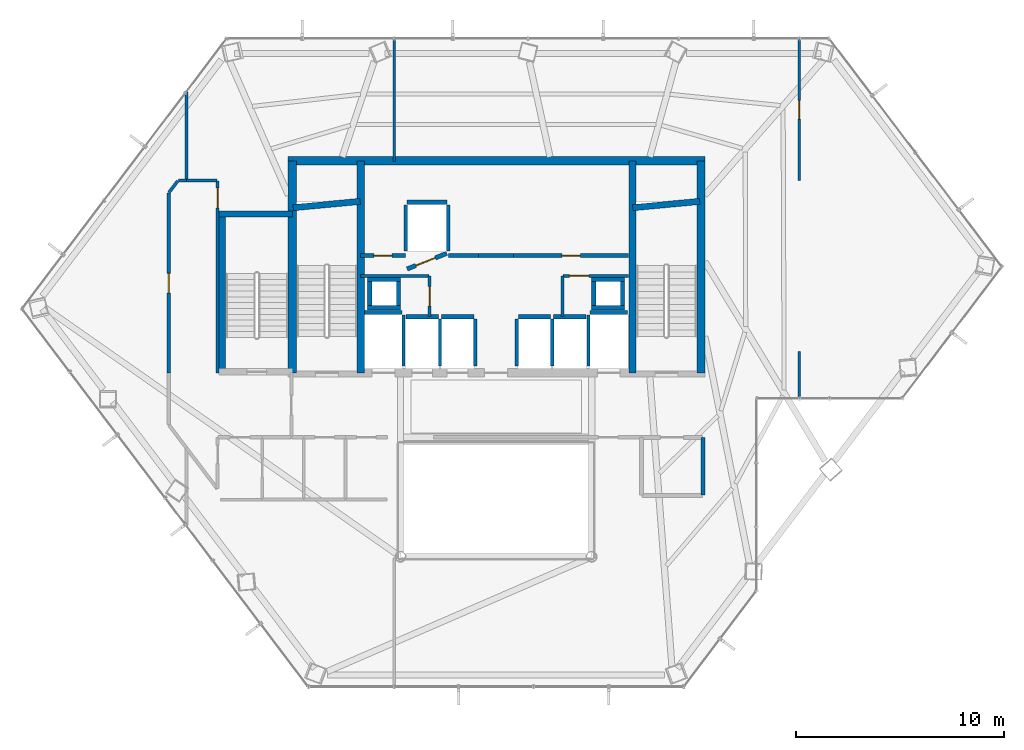
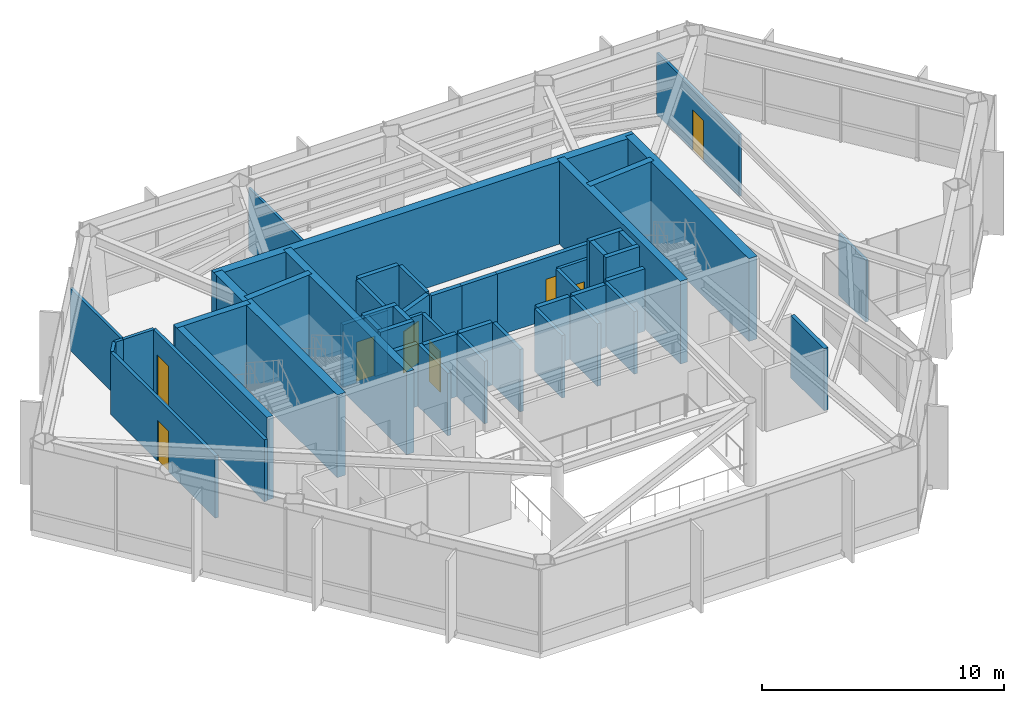
# One storey, part 23 of 25: 51 walls, 8 doors, 8 openings.
"""IFC4 building model written with IfcOpenShell, lengths in metres."""

from ifc_helpers import new_model, si_unit, direction, frame, frame_2d, origin, place, context, subcontext, project, spatial, rectangle, extrude, material, layer, layer_set, type_object, element, fill, save


model = new_model("IFC4")

# Units and contexts
model_context = context("Model", 3, precision=1e-05, world=origin(), true_north=direction((0.0, 1.0)))
body_context = subcontext(model_context, "Body", "Model", "MODEL_VIEW")
ifc_project = project(units=[si_unit("LENGTHUNIT", "METRE"), si_unit("AREAUNIT", "SQUARE_METRE"), si_unit("VOLUMEUNIT", "CUBIC_METRE"), si_unit("PLANEANGLEUNIT", "RADIAN"), si_unit("MASSUNIT", "GRAM", prefix="KILO")], contexts=[model_context])

# Site, building, storey
site_placement = place(None, origin())
site = spatial("IfcSite", under=ifc_project, at=site_placement, CompositionType="ELEMENT")
building_placement = place(site_placement, origin())
building = spatial("IfcBuilding", under=site, at=building_placement, Name="Zarrinselat Tower", CompositionType="ELEMENT")
storey_placement = place(building_placement, frame((0.0, 0.0, 119.0)))
storey = spatial("IfcBuildingStorey", under=building, at=storey_placement, Name="L28", CompositionType="ELEMENT", Elevation=119.0)

# Wall
ifc_material_1 = material(Name="Concrete C40/50", Category="concrete")
ifc_layer_1 = layer(ifc_material_1, 0.18994140625)
ifc_layer_set_1 = layer_set([ifc_layer_1], Name="Concrete C40/50")
wall_type_1 = type_object("IfcWallType", Name="WAL-PART-EI120", PredefinedType="PARTITIONING", material=ifc_layer_set_1)
wall_1_placement = place(storey_placement, frame((48.35009765625, 27.3701171875, 0.0), z_axis=(0.0, 0.0, 1.0), x_axis=(0.0, 1.0, 0.0)))
element("IfcWall", 1, at=wall_1_placement, inside=storey, type_object=wall_type_1, Name="L28 Partition Wall 17", PredefinedType="PARTITIONING", context=body_context, shape_type="SweptSolid", body=[
    extrude(rectangle(XDim=2.759765625, YDim=0.18994140625, at=frame_2d((1.3798828125, 0.0))), origin(), (0.0, 0.0, 1.0), 3.136962890625),
])

# Wall, opening, door
ifc_material_2 = material(Name="Fire-Rated Gypsum Board Partition", Category="gypsum")
ifc_layer_2 = layer(ifc_material_2, 0.14990234375)
ifc_layer_set_2 = layer_set([ifc_layer_2], Name="Fire-Rated Gypsum Board Partition")
wall_type_2 = type_object("IfcWallType", Name="WAL-PART-EI60", PredefinedType="PARTITIONING", material=ifc_layer_set_2)
wall_2_placement = place(storey_placement, frame((35.199951171875, 35.969970703125, 0.0), z_axis=(0.0, 0.0, 1.0), x_axis=(0.0, 1.0, 0.0)))
wall_2 = element("IfcWall", 2, at=wall_2_placement, inside=storey, type_object=wall_type_2, Name="L28 Partition Wall 1", PredefinedType="PARTITIONING", context=body_context, shape_type="SweptSolid", body=[
    extrude(rectangle(XDim=1.929931640625, YDim=0.14990234375, at=frame_2d((0.96484375, 0.0))), origin(), (0.0, 0.0, 1.0), 3.136962890625),
])
opening_1_placement = place(wall_2_placement, frame((0.4951171875, 0.0, 0.0)))
opening_1 = element("IfcOpeningElement", 3, at=opening_1_placement, cuts=wall_2, Name="Opening ID-04", PredefinedType="OPENING", context=body_context, shape_type="SweptSolid", body=[
    extrude(rectangle(XDim=0.93994140625, YDim=2.050048828125, at=frame_2d((0.469970703125, 1.02490234375))), frame((0.0, 0.0849609375, 0.0), z_axis=(0.0, -1.0, 0.0), x_axis=(1.0, 0.0, 0.0)), (0.0, 0.0, 1.0), 0.169921875),
])
ifc_material_3 = material(Name="Fire-Rated Gypsum Board Partition")
door_type_1 = type_object("IfcDoorType", Name="DR-INT-FD30-ENT", OperationType="NOTDEFINED", PredefinedType="DOOR", material=ifc_material_3)
door_1_placement = place(opening_1_placement, origin())
door_1 = element("IfcDoor", 4, at=door_1_placement, inside=storey, type_object=door_type_1, Name="L28 Interior Door P1", OperationType="SINGLE_SWING_LEFT", OverallHeight=2.050048828125, OverallWidth=0.93994140625, PredefinedType="DOOR", context=body_context, shape_type="SweptSolid", body=[
    extrude(rectangle(XDim=0.93994140625, YDim=2.050048828125, at=frame_2d((0.469970703125, 1.02490234375))), frame((0.0, 0.02490234375, 0.0), z_axis=(0.0, -1.0, 0.0), x_axis=(1.0, 0.0, 0.0)), (0.0, 0.0, 1.0), 0.050048828125),
])
fill(opening_1, door_1)

# Wall
wall_3_placement = place(storey_placement, frame((31.885009765625, 37.919921875, 0.0), z_axis=(0.0, 0.0, 1.0), x_axis=(1.0, 0.0, 0.0)))
element("IfcWall", 5, at=wall_3_placement, inside=storey, type_object=wall_type_2, Name="L28 Partition Wall 2", PredefinedType="PARTITIONING", context=body_context, shape_type="SweptSolid", body=[
    extrude(rectangle(XDim=3.294921875, YDim=0.14990234375, at=frame_2d((1.6474609375, 0.0))), origin(), (0.0, 0.0, 1.0), 3.136962890625),
])

# Wall, opening, door
wall_4_placement = place(storey_placement, frame((41.6201171875, 37.919921875, 0.0), z_axis=(0.0, 0.0, 1.0), x_axis=(1.0, 0.0, 0.0)))
wall_4 = element("IfcWall", 6, at=wall_4_placement, inside=storey, type_object=wall_type_2, Name="L28 Partition Wall 7", PredefinedType="PARTITIONING", context=body_context, shape_type="SweptSolid", body=[
    extrude(rectangle(XDim=3.164794921875, YDim=0.14990234375, at=frame_2d((1.58251953125, 0.0))), origin(), (0.0, 0.0, 1.0), 3.136962890625),
])
opening_2_placement = place(wall_4_placement, frame((0.3125, 0.0, 0.0)))
opening_2 = element("IfcOpeningElement", 7, at=opening_2_placement, cuts=wall_4, Name="Opening ID-04", PredefinedType="OPENING", context=body_context, shape_type="SweptSolid", body=[
    extrude(rectangle(XDim=0.93994140625, YDim=2.050048828125, at=frame_2d((0.469970703125, 1.02490234375))), frame((0.0, 0.0849609375, 0.0), z_axis=(0.0, -1.0, 0.0), x_axis=(1.0, 0.0, 0.0)), (0.0, 0.0, 1.0), 0.169921875),
])
door_2_placement = place(opening_2_placement, origin())
door_2 = element("IfcDoor", 8, at=door_2_placement, inside=storey, type_object=door_type_1, Name="L28 Interior Door P7", OperationType="SINGLE_SWING_RIGHT", OverallHeight=2.050048828125, OverallWidth=0.93994140625, PredefinedType="DOOR", context=body_context, shape_type="SweptSolid", body=[
    extrude(rectangle(XDim=0.93994140625, YDim=2.050048828125, at=frame_2d((0.469970703125, 1.02490234375))), frame((0.0, 0.02490234375, 0.0), z_axis=(0.0, -1.0, 0.0), x_axis=(1.0, 0.0, 0.0)), (0.0, 0.0, 1.0), 0.050048828125),
])
fill(opening_2, door_2)

# Wall
wall_5_placement = place(storey_placement, frame((41.60009765625, 35.969970703125, 0.0), z_axis=(0.0, 0.0, 1.0), x_axis=(0.0, 1.0, 0.0)))
element("IfcWall", 9, at=wall_5_placement, inside=storey, type_object=wall_type_2, Name="L28 Partition Wall 8", PredefinedType="PARTITIONING", context=body_context, shape_type="SweptSolid", body=[
    extrude(rectangle(XDim=1.929931640625, YDim=0.14990234375, at=frame_2d((0.96484375, 0.0))), origin(), (0.0, 0.0, 1.0), 3.136962890625),
])

# Wall, opening, door
wall_6_placement = place(storey_placement, frame((22.64990234375, 33.25, 0.0), z_axis=(0.0, 0.0, 1.0), x_axis=(0.0, 1.0, 0.0)))
wall_6 = element("IfcWall", 10, at=wall_6_placement, inside=storey, type_object=wall_type_2, Name="L28 Partition Wall 24", PredefinedType="PARTITIONING", context=body_context, shape_type="SweptSolid", body=[
    extrude(rectangle(XDim=8.643310546875, YDim=0.14990234375, at=frame_2d((4.32177734375, 0.0))), origin(), (0.0, 0.0, 1.0), 3.136962890625),
])
opening_3_placement = place(wall_6_placement, frame((3.8515625, 0.0, 0.0)))
opening_3 = element("IfcOpeningElement", 11, at=opening_3_placement, cuts=wall_6, Name="Opening ID-04", PredefinedType="OPENING", context=body_context, shape_type="SweptSolid", body=[
    extrude(rectangle(XDim=0.93994140625, YDim=2.050048828125, at=frame_2d((0.469970703125, 1.02490234375))), frame((0.0, 0.0849609375, 0.0), z_axis=(0.0, -1.0, 0.0), x_axis=(1.0, 0.0, 0.0)), (0.0, 0.0, 1.0), 0.169921875),
])
door_3_placement = place(opening_3_placement, origin())
door_3 = element("IfcDoor", 12, at=door_3_placement, inside=storey, type_object=door_type_1, Name="L28 Interior Door P24", OperationType="SINGLE_SWING_RIGHT", OverallHeight=2.050048828125, OverallWidth=0.93994140625, PredefinedType="DOOR", context=body_context, shape_type="SweptSolid", body=[
    extrude(rectangle(XDim=0.93994140625, YDim=2.050048828125, at=frame_2d((0.469970703125, 1.02490234375))), frame((0.0, 0.02490234375, 0.0), z_axis=(0.0, -1.0, 0.0), x_axis=(1.0, 0.0, 0.0)), (0.0, 0.0, 1.0), 0.050048828125),
])
fill(opening_3, door_3)

# Walls
wall_7_placement = place(storey_placement, frame((22.662109375, 41.92919921875, 0.0), z_axis=(0.0, 0.0, 1.0), x_axis=(0.603864439616, 0.797087033245, 0.0)))
element("IfcWall", 13, at=wall_7_placement, inside=storey, type_object=wall_type_2, Name="L28 Partition Wall 25", PredefinedType="PARTITIONING", context=body_context, shape_type="SweptSolid", body=[
    extrude(rectangle(XDim=0.6962890625, YDim=0.14990234375, at=frame_2d((0.34814453125, 0.0))), origin(), (0.0, 0.0, 1.0), 3.136962890625),
])
wall_8_placement = place(storey_placement, frame((23.114501953125, 42.5, 0.0), z_axis=(0.0, 0.0, 1.0), x_axis=(1.0, 0.0, 0.0)))
element("IfcWall", 14, at=wall_8_placement, inside=storey, type_object=wall_type_2, Name="L28 Partition Wall 26", PredefinedType="PARTITIONING", context=body_context, shape_type="SweptSolid", body=[
    extrude(rectangle(XDim=0.380615234375, YDim=0.14990234375, at=frame_2d((0.1904296875, 0.0))), origin(), (0.0, 0.0, 1.0), 3.136962890625),
])
wall_9_placement = place(storey_placement, frame((23.5048828125, 42.5, 0.0), z_axis=(0.0, 0.0, 1.0), x_axis=(1.0, 0.0, 0.0)))
element("IfcWall", 15, at=wall_9_placement, inside=storey, type_object=wall_type_2, Name="L28 Partition Wall 27", PredefinedType="PARTITIONING", context=body_context, shape_type="SweptSolid", body=[
    extrude(rectangle(XDim=1.47509765625, YDim=0.14990234375, at=frame_2d((0.737548828125, 0.0))), origin(), (0.0, 0.0, 1.0), 3.136962890625),
])

# Wall, opening, door
wall_10_placement = place(storey_placement, frame((25.0, 33.25, 0.0), z_axis=(0.0, 0.0, 1.0), x_axis=(0.0, 1.0, 0.0)))
wall_10 = element("IfcWall", 16, at=wall_10_placement, inside=storey, type_object=wall_type_2, Name="L28 Partition Wall 28", PredefinedType="PARTITIONING", context=body_context, shape_type="SweptSolid", body=[
    extrude(rectangle(XDim=9.22998046875, YDim=0.14990234375, at=frame_2d((4.614990234375, 0.0))), origin(), (0.0, 0.0, 1.0), 3.136962890625),
])
opening_4_placement = place(wall_10_placement, frame((7.945068359375, 0.0, 0.0)))
opening_4 = element("IfcOpeningElement", 17, at=opening_4_placement, cuts=wall_10, Name="Opening ID-04", PredefinedType="OPENING", context=body_context, shape_type="SweptSolid", body=[
    extrude(rectangle(XDim=0.93994140625, YDim=2.050048828125, at=frame_2d((0.469970703125, 1.02490234375))), frame((0.0, 0.0849609375, 0.0), z_axis=(0.0, -1.0, 0.0), x_axis=(1.0, 0.0, 0.0)), (0.0, 0.0, 1.0), 0.169921875),
])
door_4_placement = place(opening_4_placement, origin())
door_4 = element("IfcDoor", 18, at=door_4_placement, inside=storey, type_object=door_type_1, Name="L28 Interior Door P28", OperationType="SINGLE_SWING_LEFT", OverallHeight=2.050048828125, OverallWidth=0.93994140625, PredefinedType="DOOR", context=body_context, shape_type="SweptSolid", body=[
    extrude(rectangle(XDim=0.93994140625, YDim=2.050048828125, at=frame_2d((0.469970703125, 1.02490234375))), frame((0.0, 0.02490234375, 0.0), z_axis=(0.0, -1.0, 0.0), x_axis=(1.0, 0.0, 0.0)), (0.0, 0.0, 1.0), 0.050048828125),
])
fill(opening_4, door_4)

ifc_material_4 = material(Name="Concrete C40/50", Category="concrete")
ifc_layer_3 = layer(ifc_material_4, 0.199951171875)
ifc_layer_set_3 = layer_set([ifc_layer_3], Name="Concrete C40/50")
wall_type_3 = type_object("IfcWallType", Name="WAL-PART-PLANT", PredefinedType="PARTITIONING", material=ifc_layer_set_3)
wall_11_placement = place(storey_placement, frame((31.885009765625, 38.889892578125, 0.0), z_axis=(0.0, 0.0, 1.0), x_axis=(1.0, 0.0, 0.0)))
wall_11 = element("IfcWall", 19, at=wall_11_placement, inside=storey, type_object=wall_type_3, Name="L28 Partition Wall 3", PredefinedType="PARTITIONING", context=body_context, shape_type="SweptSolid", body=[
    extrude(rectangle(XDim=2.14990234375, YDim=0.199951171875, at=frame_2d((1.074951171875, 0.0))), origin(), (0.0, 0.0, 1.0), 3.136962890625),
])
opening_5_placement = place(wall_11_placement, frame((0.635009765625, 0.0, 0.0)))
opening_5 = element("IfcOpeningElement", 20, at=opening_5_placement, cuts=wall_11, Name="Opening ID-03", PredefinedType="OPENING", context=body_context, shape_type="SweptSolid", body=[
    extrude(rectangle(XDim=0.8798828125, YDim=2.050048828125, at=frame_2d((0.43994140625, 1.02490234375))), frame((0.0, 0.10986328125, 0.0), z_axis=(0.0, -1.0, 0.0), x_axis=(1.0, 0.0, 0.0)), (0.0, 0.0, 1.0), 0.219970703125),
])
ifc_material_5 = material(Name="Steel S355J2", Category="steel")
door_type_2 = type_object("IfcDoorType", Name="DR-INT-FD60-S", OperationType="NOTDEFINED", PredefinedType="DOOR", material=ifc_material_5)
door_5_placement = place(opening_5_placement, origin())
door_5 = element("IfcDoor", 21, at=door_5_placement, inside=storey, type_object=door_type_2, Name="L28 Interior Door P3", OperationType="SINGLE_SWING_RIGHT", OverallHeight=2.050048828125, OverallWidth=0.8798828125, PredefinedType="DOOR", context=body_context, shape_type="SweptSolid", body=[
    extrude(rectangle(XDim=0.8798828125, YDim=2.050048828125, at=frame_2d((0.43994140625, 1.02490234375))), frame((0.0, 0.02490234375, 0.0), z_axis=(0.0, -1.0, 0.0), x_axis=(1.0, 0.0, 0.0)), (0.0, 0.0, 1.0), 0.050048828125),
])
fill(opening_5, door_5)

# Walls
wall_12_placement = place(storey_placement, frame((36.114990234375, 38.889892578125, 0.0), z_axis=(0.0, 0.0, 1.0), x_axis=(1.0, 0.0, 0.0)))
element("IfcWall", 22, at=wall_12_placement, inside=storey, type_object=wall_type_3, Name="L28 Partition Wall 4", PredefinedType="PARTITIONING", context=body_context, shape_type="SweptSolid", body=[
    extrude(rectangle(XDim=1.43505859375, YDim=0.199951171875, at=frame_2d((0.717529296875, 0.0))), origin(), (0.0, 0.0, 1.0), 3.136962890625),
])
wall_13_placement = place(storey_placement, frame((37.550048828125, 38.889892578125, 0.0), z_axis=(0.0, 0.0, 1.0), x_axis=(1.0, 0.0, 0.0)))
element("IfcWall", 23, at=wall_13_placement, inside=storey, type_object=wall_type_3, Name="L28 Partition Wall 5", PredefinedType="PARTITIONING", context=body_context, shape_type="SweptSolid", body=[
    extrude(rectangle(XDim=1.699951171875, YDim=0.199951171875, at=frame_2d((0.85009765625, 0.0))), origin(), (0.0, 0.0, 1.0), 3.136962890625),
])

# Wall, opening, door
wall_14_placement = place(storey_placement, frame((39.25, 38.889892578125, 0.0), z_axis=(0.0, 0.0, 1.0), x_axis=(1.0, 0.0, 0.0)))
wall_14 = element("IfcWall", 24, at=wall_14_placement, inside=storey, type_object=wall_type_3, Name="L28 Partition Wall 6", PredefinedType="PARTITIONING", context=body_context, shape_type="SweptSolid", body=[
    extrude(rectangle(XDim=5.534912109375, YDim=0.199951171875, at=frame_2d((2.767578125, 0.0))), origin(), (0.0, 0.0, 1.0), 3.136962890625),
])
opening_6_placement = place(wall_14_placement, frame((2.327392578125, 0.0, 0.0)))
opening_6 = element("IfcOpeningElement", 25, at=opening_6_placement, cuts=wall_14, Name="Opening ID-03", PredefinedType="OPENING", context=body_context, shape_type="SweptSolid", body=[
    extrude(rectangle(XDim=0.8798828125, YDim=2.050048828125, at=frame_2d((0.43994140625, 1.02490234375))), frame((0.0, 0.10986328125, 0.0), z_axis=(0.0, -1.0, 0.0), x_axis=(1.0, 0.0, 0.0)), (0.0, 0.0, 1.0), 0.219970703125),
])
door_6_placement = place(opening_6_placement, origin())
door_6 = element("IfcDoor", 26, at=door_6_placement, inside=storey, type_object=door_type_2, Name="L28 Interior Door P6", OperationType="SINGLE_SWING_LEFT", OverallHeight=2.050048828125, OverallWidth=0.8798828125, PredefinedType="DOOR", context=body_context, shape_type="SweptSolid", body=[
    extrude(rectangle(XDim=0.8798828125, YDim=2.050048828125, at=frame_2d((0.43994140625, 1.02490234375))), frame((0.0, 0.02490234375, 0.0), z_axis=(0.0, -1.0, 0.0), x_axis=(1.0, 0.0, 0.0)), (0.0, 0.0, 1.0), 0.050048828125),
])
fill(opening_6, door_6)

ifc_material_6 = material(Name="Fire-Rated Gypsum Board Partition", Category="gypsum")
ifc_layer_4 = layer(ifc_material_6, 0.1201171875)
ifc_layer_set_4 = layer_set([ifc_layer_4], Name="Fire-Rated Gypsum Board Partition")
wall_type_4 = type_object("IfcWallType", Name="WAL-PART-STD", PredefinedType="PARTITIONING", material=ifc_layer_set_4)
wall_15_placement = place(storey_placement, frame((53.0, 42.5, 0.0), z_axis=(0.0, 0.0, 1.0), x_axis=(0.0, 1.0, 0.0)))
wall_15 = element("IfcWall", 27, at=wall_15_placement, inside=storey, type_object=wall_type_4, Name="L28 Partition Wall 37", PredefinedType="PARTITIONING", context=body_context, shape_type="SweptSolid", body=[
    extrude(rectangle(XDim=6.829345703125, YDim=0.1201171875, at=frame_2d((3.41455078125, 0.0))), origin(), (0.0, 0.0, 1.0), 3.136962890625),
])
opening_7_placement = place(wall_15_placement, frame((2.964599609375, 0.0, 0.0)))
opening_7 = element("IfcOpeningElement", 28, at=opening_7_placement, cuts=wall_15, Name="Opening ID-05", PredefinedType="OPENING", context=body_context, shape_type="SweptSolid", body=[
    extrude(rectangle(XDim=0.89990234375, YDim=2.050048828125, at=frame_2d((0.449951171875, 1.02490234375))), frame((0.0, 0.070068359375, 0.0), z_axis=(0.0, -1.0, 0.0), x_axis=(1.0, 0.0, 0.0)), (0.0, 0.0, 1.0), 0.14013671875),
])
ifc_material_7 = material(Name="Extruded Aluminium Alloy EN AW-6063 T6", Category="aluminium")
door_type_3 = type_object("IfcDoorType", Name="DR-INT-STD-920", OperationType="NOTDEFINED", PredefinedType="DOOR", material=ifc_material_7)
door_7_placement = place(opening_7_placement, origin())
door_7 = element("IfcDoor", 29, at=door_7_placement, inside=storey, type_object=door_type_3, Name="L28 Interior Door P37", OperationType="SINGLE_SWING_LEFT", OverallHeight=2.050048828125, OverallWidth=0.89990234375, PredefinedType="DOOR", context=body_context, shape_type="SweptSolid", body=[
    extrude(rectangle(XDim=0.89990234375, YDim=2.050048828125, at=frame_2d((0.449951171875, 1.02490234375))), frame((0.0, 0.02490234375, 0.0), z_axis=(0.0, -1.0, 0.0), x_axis=(1.0, 0.0, 0.0)), (0.0, 0.0, 1.0), 0.050048828125),
])
fill(opening_7, door_7)

# Walls
wall_16_placement = place(storey_placement, frame((53.0, 32.030029296875, 0.0), z_axis=(0.0, 0.0, 1.0), x_axis=(0.0, 1.0, 0.0)))
element("IfcWall", 30, at=wall_16_placement, inside=storey, type_object=wall_type_4, Name="L28 Partition Wall 38", PredefinedType="PARTITIONING", context=body_context, shape_type="SweptSolid", body=[
    extrude(rectangle(XDim=2.244873046875, YDim=0.1201171875, at=frame_2d((1.12255859375, 0.0))), origin(), (0.0, 0.0, 1.0), 3.136962890625),
])
wall_17_placement = place(storey_placement, frame((33.5, 43.4150390625, 0.0), z_axis=(0.0, 0.0, 1.0), x_axis=(0.0, 1.0, 0.0)))
element("IfcWall", 31, at=wall_17_placement, inside=storey, type_object=wall_type_4, Name="L28 Partition Wall 39", PredefinedType="PARTITIONING", context=body_context, shape_type="SweptSolid", body=[
    extrude(rectangle(XDim=5.914306640625, YDim=0.1201171875, at=frame_2d((2.95703125, 0.0))), origin(), (0.0, 0.0, 1.0), 3.136962890625),
])
ifc_material_8 = material(Name="Fire-Rated Gypsum Board Partition", Category="gypsum")
ifc_layer_5 = layer(ifc_material_8, 0.135009765625)
ifc_layer_set_5 = layer_set([ifc_layer_5], Name="Fire-Rated Gypsum Board Partition")
wall_type_5 = type_object("IfcWallType", Name="WAL-PART-WET", PredefinedType="PARTITIONING", material=ifc_layer_set_5)
wall_18_placement = place(storey_placement, frame((23.5, 42.52001953125, 0.0), z_axis=(0.0, 0.0, 1.0), x_axis=(0.0, 1.0, 0.0)))
element("IfcWall", 32, at=wall_18_placement, inside=storey, type_object=wall_type_5, Name="L28 Partition Wall 41", PredefinedType="PARTITIONING", context=body_context, shape_type="SweptSolid", body=[
    extrude(rectangle(XDim=4.24267578125, YDim=0.135009765625, at=frame_2d((2.121337890625, 0.0))), origin(), (0.0, 0.0, 1.0), 3.136962890625),
])
ifc_material_9 = material(Name="Concrete C40/50", Category="concrete")
ifc_layer_6 = layer(ifc_material_9, 0.2099609375)
ifc_layer_set_6 = layer_set([ifc_layer_6], Name="Concrete C40/50")
wall_type_6 = type_object("IfcWallType", Name="WAL-SHAFT-210", PredefinedType="SOLIDWALL", material=ifc_layer_set_6)
wall_19_placement = place(storey_placement, frame((32.080078125, 36.155029296875, 0.0), z_axis=(0.0, 0.0, 1.0), x_axis=(1.0, 0.0, 0.0)))
element("IfcWall", 33, at=wall_19_placement, inside=storey, type_object=wall_type_6, Name="L28 Lift FFL1 North Shaft Wall", PredefinedType="SOLIDWALL", context=body_context, shape_type="SweptSolid", body=[
    extrude(rectangle(XDim=1.7998046875, YDim=0.2099609375, at=frame_2d((0.89990234375, 0.0))), origin(), (0.0, 0.0, 1.0), 3.152099609375),
])
wall_20_placement = place(storey_placement, frame((33.949951171875, 33.580078125, 0.0), z_axis=(0.0, 0.0, 1.0), x_axis=(0.0, 1.0, 0.0)))
element("IfcWall", 34, at=wall_20_placement, inside=storey, type_object=wall_type_6, Name="L28 Lift FFL1 E Shaft Wall", PredefinedType="SOLIDWALL", context=body_context, shape_type="SweptSolid", body=[
    extrude(rectangle(XDim=2.449951171875, YDim=0.159912109375, at=frame_2d((1.22509765625, 0.0))), origin(), (0.0, 0.0, 1.0), 3.152099609375),
])
wall_21_placement = place(storey_placement, frame((42.919921875, 36.155029296875, 0.0), z_axis=(0.0, 0.0, 1.0), x_axis=(1.0, 0.0, 0.0)))
element("IfcWall", 35, at=wall_21_placement, inside=storey, type_object=wall_type_6, Name="L28 Lift FFL2 North Shaft Wall", PredefinedType="SOLIDWALL", context=body_context, shape_type="SweptSolid", body=[
    extrude(rectangle(XDim=1.800048828125, YDim=0.2099609375, at=frame_2d((0.89990234375, 0.0))), origin(), (0.0, 0.0, 1.0), 3.152099609375),
])
wall_22_placement = place(storey_placement, frame((42.85009765625, 33.580078125, 0.0), z_axis=(0.0, 0.0, 1.0), x_axis=(0.0, 1.0, 0.0)))
element("IfcWall", 36, at=wall_22_placement, inside=storey, type_object=wall_type_6, Name="L28 Lift FFL2 W Shaft Wall", PredefinedType="SOLIDWALL", context=body_context, shape_type="SweptSolid", body=[
    extrude(rectangle(XDim=2.449951171875, YDim=0.159912109375, at=frame_2d((1.22509765625, 0.0))), origin(), (0.0, 0.0, 1.0), 3.152099609375),
])
wall_23_placement = place(storey_placement, frame((34.070068359375, 35.955078125, 0.0), z_axis=(0.0, 0.0, 1.0), x_axis=(1.0, 0.0, 0.0)))
element("IfcWall", 37, at=wall_23_placement, inside=storey, type_object=wall_type_6, Name="L28 Lift PL5 North Shaft Wall", PredefinedType="SOLIDWALL", context=body_context, shape_type="SweptSolid", body=[
    extrude(rectangle(XDim=1.559814453125, YDim=0.2099609375, at=frame_2d((0.77978515625, 0.0))), origin(), (0.0, 0.0, 1.0), 3.152099609375),
])
wall_24_placement = place(storey_placement, frame((35.699951171875, 33.580078125, 0.0), z_axis=(0.0, 0.0, 1.0), x_axis=(0.0, 1.0, 0.0)))
element("IfcWall", 38, at=wall_24_placement, inside=storey, type_object=wall_type_6, Name="L28 Lift PL5 E Shaft Wall", PredefinedType="SOLIDWALL", context=body_context, shape_type="SweptSolid", body=[
    extrude(rectangle(XDim=2.25, YDim=0.159912109375, at=frame_2d((1.125, 0.0))), origin(), (0.0, 0.0, 1.0), 3.152099609375),
])
wall_25_placement = place(storey_placement, frame((35.77001953125, 35.955078125, 0.0), z_axis=(0.0, 0.0, 1.0), x_axis=(1.0, 0.0, 0.0)))
element("IfcWall", 39, at=wall_25_placement, inside=storey, type_object=wall_type_6, Name="L28 Lift PL6 North Shaft Wall", PredefinedType="SOLIDWALL", context=body_context, shape_type="SweptSolid", body=[
    extrude(rectangle(XDim=1.56005859375, YDim=0.2099609375, at=frame_2d((0.780029296875, 0.0))), origin(), (0.0, 0.0, 1.0), 3.152099609375),
])
wall_26_placement = place(storey_placement, frame((37.39990234375, 33.580078125, 0.0), z_axis=(0.0, 0.0, 1.0), x_axis=(0.0, 1.0, 0.0)))
element("IfcWall", 40, at=wall_26_placement, inside=storey, type_object=wall_type_6, Name="L28 Lift PL6 E Shaft Wall", PredefinedType="SOLIDWALL", context=body_context, shape_type="SweptSolid", body=[
    extrude(rectangle(XDim=2.25, YDim=0.159912109375, at=frame_2d((1.125, 0.0))), origin(), (0.0, 0.0, 1.0), 3.152099609375),
])

# Wall, opening, door
wall_27_placement = place(storey_placement, frame((34.1201171875, 38.25, 0.0), z_axis=(0.0, 0.0, 1.0), x_axis=(0.930804993012, 0.36551616241, 0.0)))
wall_27 = element("IfcWall", 41, at=wall_27_placement, inside=storey, type_object=wall_type_6, Name="L28 Lift PL7 Front Shaft Wall", PredefinedType="SOLIDWALL", context=body_context, shape_type="SweptSolid", body=[
    extrude(rectangle(XDim=2.052001953125, YDim=0.2099609375, at=frame_2d((1.02587890625, 0.0))), origin(), (0.0, 0.0, 1.0), 3.152099609375),
])
opening_8_placement = place(wall_27_placement, frame((0.455078125, 0.0, 0.0)))
opening_8 = element("IfcOpeningElement", 42, at=opening_8_placement, cuts=wall_27, Name="Opening LD-PL7", PredefinedType="OPENING", context=body_context, shape_type="SweptSolid", body=[
    extrude(rectangle(XDim=1.0, YDim=2.10009765625, at=frame_2d((0.5, 1.050048828125))), frame((0.0, 0.114990234375, 0.0), z_axis=(0.0, -1.0, 0.0), x_axis=(1.0, 0.0, 0.0)), (0.0, 0.0, 1.0), 0.22998046875),
])
ifc_material_10 = material(Name="Steel S355J2", Category="steel")
door_type_4 = type_object("IfcDoorType", Name="DR-LIFT-PS-1000", OperationType="NOTDEFINED", PredefinedType="DOOR", material=ifc_material_10)
door_8_placement = place(opening_8_placement, origin())
door_8 = element("IfcDoor", 43, at=door_8_placement, inside=storey, type_object=door_type_4, Name="L28 Lift PL7 Sliding Landing Door", OperationType="SLIDING_TO_LEFT", OverallHeight=2.10009765625, OverallWidth=1.0, PredefinedType="DOOR", context=body_context, shape_type="SweptSolid", body=[
    extrude(rectangle(XDim=1.0, YDim=2.10009765625, at=frame_2d((0.5, 1.050048828125))), frame((0.0, 0.02490234375, 0.0), z_axis=(0.0, -1.0, 0.0), x_axis=(1.0, 0.0, 0.0)), (0.0, 0.0, 1.0), 0.050048828125),
])
fill(opening_8, door_8)

# Walls
wall_28_placement = place(storey_placement, frame((34.1201171875, 41.455078125, 0.0), z_axis=(0.0, 0.0, 1.0), x_axis=(1.0, 0.0, 0.0)))
element("IfcWall", 44, at=wall_28_placement, inside=storey, type_object=wall_type_6, Name="L28 Lift PL7 Rear Shaft Wall", PredefinedType="SOLIDWALL", context=body_context, shape_type="SweptSolid", body=[
    extrude(rectangle(XDim=1.909912109375, YDim=0.2099609375, at=frame_2d((0.955078125, 0.0))), origin(), (0.0, 0.0, 1.0), 3.152099609375),
])
for number, where, z_axis, x_axis, name in (
    (45, (34.050048828125, 39.1201171875, 0.0), (0.0, 0.0, 1.0), (0.0, 1.0, 0.0), "L28 Lift PL7 W Shaft Wall"),
    (46, (36.10009765625, 39.1201171875, 0.0), (0.0, 0.0, 1.0), (0.0, 1.0, 0.0), "L28 Lift PL7 E Shaft Wall"),
):
    element("IfcWall", number, at=place(storey_placement, frame(where, z_axis=z_axis, x_axis=x_axis)), inside=storey, type_object=wall_type_6, Name=name, PredefinedType="SOLIDWALL", context=body_context, shape_type="SweptSolid", body=[
        extrude(rectangle(XDim=2.2099609375, YDim=0.159912109375, at=frame_2d((1.10498046875, 0.0))), origin(), (0.0, 0.0, 1.0), 3.152099609375),
    ])
wall_29_placement = place(storey_placement, frame((39.469970703125, 35.955078125, 0.0), z_axis=(0.0, 0.0, 1.0), x_axis=(1.0, 0.0, 0.0)))
element("IfcWall", 47, at=wall_29_placement, inside=storey, type_object=wall_type_6, Name="L28 Lift PL8 North Shaft Wall", PredefinedType="SOLIDWALL", context=body_context, shape_type="SweptSolid", body=[
    extrude(rectangle(XDim=1.56005859375, YDim=0.2099609375, at=frame_2d((0.780029296875, 0.0))), origin(), (0.0, 0.0, 1.0), 3.152099609375),
])
for number, where, z_axis, x_axis, name in (
    (48, (39.39990234375, 33.580078125, 0.0), (0.0, 0.0, 1.0), (0.0, 1.0, 0.0), "L28 Lift PL8 W Shaft Wall"),
    (49, (41.10009765625, 33.580078125, 0.0), (0.0, 0.0, 1.0), (0.0, 1.0, 0.0), "L28 Lift PL8 E Shaft Wall"),
):
    element("IfcWall", number, at=place(storey_placement, frame(where, z_axis=z_axis, x_axis=x_axis)), inside=storey, type_object=wall_type_6, Name=name, PredefinedType="SOLIDWALL", context=body_context, shape_type="SweptSolid", body=[
        extrude(rectangle(XDim=2.25, YDim=0.159912109375, at=frame_2d((1.125, 0.0))), origin(), (0.0, 0.0, 1.0), 3.152099609375),
    ])
wall_30_placement = place(storey_placement, frame((41.169921875, 35.955078125, 0.0), z_axis=(0.0, 0.0, 1.0), x_axis=(1.0, 0.0, 0.0)))
element("IfcWall", 50, at=wall_30_placement, inside=storey, type_object=wall_type_6, Name="L28 Lift PL9 North Shaft Wall", PredefinedType="SOLIDWALL", context=body_context, shape_type="SweptSolid", body=[
    extrude(rectangle(XDim=1.56005859375, YDim=0.2099609375, at=frame_2d((0.780029296875, 0.0))), origin(), (0.0, 0.0, 1.0), 3.152099609375),
])
for number, where, z_axis, x_axis, name in (
    (51, (32.2099609375, 36.375, 0.0), (0.0, 0.0, 1.0), (1.0, 0.0, 0.0), "L28 Core Riser RSR-W S Shaft Wall"),
    (52, (32.2099609375, 37.7451171875, 0.0), (0.0, 0.0, 1.0), (1.0, 0.0, 0.0), "L28 Core Riser RSR-W N Shaft Wall"),
):
    element("IfcWall", number, at=place(storey_placement, frame(where, z_axis=z_axis, x_axis=x_axis)), inside=storey, type_object=wall_type_6, Name=name, PredefinedType="SOLIDWALL", context=body_context, shape_type="SweptSolid", body=[
        extrude(rectangle(XDim=1.60009765625, YDim=0.2099609375, at=frame_2d((0.800048828125, 0.0))), origin(), (0.0, 0.0, 1.0), 4.179931640625),
    ])
for number, where, z_axis, x_axis, name in (
    (53, (32.31494140625, 36.485107421875, 0.0), (0.0, 0.0, 1.0), (0.0, 1.0, 0.0), "L28 Core Riser RSR-W W Shaft Wall"),
    (54, (33.705078125, 36.485107421875, 0.0), (0.0, 0.0, 1.0), (0.0, 1.0, 0.0), "L28 Core Riser RSR-W E Shaft Wall"),
):
    element("IfcWall", number, at=place(storey_placement, frame(where, z_axis=z_axis, x_axis=x_axis)), inside=storey, type_object=wall_type_6, Name=name, PredefinedType="SOLIDWALL", context=body_context, shape_type="SweptSolid", body=[
        extrude(rectangle(XDim=1.14990234375, YDim=0.2099609375, at=frame_2d((0.574951171875, 0.0))), origin(), (0.0, 0.0, 1.0), 4.179931640625),
    ])
for number, where, z_axis, x_axis, name in (
    (55, (42.989990234375, 36.375, 0.0), (0.0, 0.0, 1.0), (1.0, 0.0, 0.0), "L28 Core Riser RSR-E S Shaft Wall"),
    (56, (42.989990234375, 37.7451171875, 0.0), (0.0, 0.0, 1.0), (1.0, 0.0, 0.0), "L28 Core Riser RSR-E N Shaft Wall"),
):
    element("IfcWall", number, at=place(storey_placement, frame(where, z_axis=z_axis, x_axis=x_axis)), inside=storey, type_object=wall_type_6, Name=name, PredefinedType="SOLIDWALL", context=body_context, shape_type="SweptSolid", body=[
        extrude(rectangle(XDim=1.60009765625, YDim=0.2099609375, at=frame_2d((0.800048828125, 0.0))), origin(), (0.0, 0.0, 1.0), 4.179931640625),
    ])
for number, where, z_axis, x_axis, name in (
    (57, (43.094970703125, 36.485107421875, 0.0), (0.0, 0.0, 1.0), (0.0, 1.0, 0.0), "L28 Core Riser RSR-E W Shaft Wall"),
    (58, (44.485107421875, 36.485107421875, 0.0), (0.0, 0.0, 1.0), (0.0, 1.0, 0.0), "L28 Core Riser RSR-E E Shaft Wall"),
):
    element("IfcWall", number, at=place(storey_placement, frame(where, z_axis=z_axis, x_axis=x_axis)), inside=storey, type_object=wall_type_6, Name=name, PredefinedType="SOLIDWALL", context=body_context, shape_type="SweptSolid", body=[
        extrude(rectangle(XDim=1.14990234375, YDim=0.2099609375, at=frame_2d((0.574951171875, 0.0))), origin(), (0.0, 0.0, 1.0), 4.179931640625),
    ])
ifc_material_11 = material(Name="Concrete C40/50", Category="concrete")
ifc_layer_7 = layer(ifc_material_11, 0.300048828125)
ifc_layer_set_7 = layer_set([ifc_layer_7], Name="Concrete C40/50")
wall_type_7 = type_object("IfcWallType", Name="WAL-SHEAR-300", PredefinedType="SHEAR", material=ifc_layer_set_7)
wall_31_placement = place(storey_placement, frame((28.639892578125, 41.199951171875, 0.0), z_axis=(0.0, 0.0, 1.0), x_axis=(0.995687118776, 0.092774789157, 0.0)))
element("IfcWall", 59, at=wall_31_placement, inside=storey, type_object=wall_type_7, Name="L28 Stair 1 North Shaft Wall", PredefinedType="SHEAR", context=body_context, shape_type="SweptSolid", body=[
    extrude(rectangle(XDim=3.234130859375, YDim=0.300048828125, at=frame_2d((1.6171875, 0.0))), origin(), (0.0, 0.0, 1.0), 4.179931640625),
])
wall_32_placement = place(storey_placement, frame((44.97998046875, 41.199951171875, 0.0), z_axis=(0.0, 0.0, 1.0), x_axis=(0.995686468965, 0.09278176286, 0.0)))
element("IfcWall", 60, at=wall_32_placement, inside=storey, type_object=wall_type_7, Name="L28 Stair 2 North Shaft Wall", PredefinedType="SHEAR", context=body_context, shape_type="SweptSolid", body=[
    extrude(rectangle(XDim=3.23388671875, YDim=0.300048828125, at=frame_2d((1.616943359375, 0.0))), origin(), (0.0, 0.0, 1.0), 4.179931640625),
])
wall_33_placement = place(storey_placement, frame((25.080078125, 40.89990234375, 0.0), z_axis=(0.0, 0.0, 1.0), x_axis=(1.0, 0.0, 0.0)))
element("IfcWall", 61, at=wall_33_placement, inside=storey, type_object=wall_type_7, Name="L28 Stair 3 North Shear Wall", PredefinedType="SHEAR", context=body_context, shape_type="SweptSolid", body=[
    extrude(rectangle(XDim=3.52001953125, YDim=0.300048828125, at=frame_2d((1.760009765625, 0.0))), origin(), (0.0, 0.0, 1.0), 4.179931640625),
])
wall_34_placement = place(storey_placement, frame((25.22998046875, 33.300048828125, 0.0), z_axis=(0.0, 0.0, 1.0), x_axis=(0.0, 1.0, 0.0)))
element("IfcWall", 62, at=wall_34_placement, inside=storey, type_object=wall_type_7, Name="L28 Stair 3 West Shear Wall", PredefinedType="SHEAR", context=body_context, shape_type="SweptSolid", body=[
    extrude(rectangle(XDim=7.599853515625, YDim=0.300048828125, at=frame_2d((3.7998046875, 0.0))), origin(), (0.0, 0.0, 1.0), 4.179931640625),
])
ifc_material_12 = material(Name="Concrete C50/60", Category="concrete")
ifc_layer_8 = layer(ifc_material_12, 0.35009765625)
ifc_layer_set_8 = layer_set([ifc_layer_8], Name="Concrete C50/60")
wall_type_8 = type_object("IfcWallType", Name="WAL-SHEAR-350", PredefinedType="SHEAR", material=ifc_layer_set_8)
for number, where, z_axis, x_axis, name in (
    (63, (31.89501953125, 33.25, 0.0), (0.0, 0.0, 1.0), (0.0, 1.0, 0.0), "L28 Core Shear Wall ST1E"),
    (64, (44.965087890625, 33.25, 0.0), (0.0, 0.0, 1.0), (0.0, 1.0, 0.0), "L28 Core Shear Wall ST2W"),
):
    element("IfcWall", number, at=place(storey_placement, frame(where, z_axis=z_axis, x_axis=x_axis)), inside=storey, type_object=wall_type_8, Name=name, PredefinedType="SHEAR", context=body_context, shape_type="SweptSolid", body=[
        extrude(rectangle(XDim=10.199951171875, YDim=0.35009765625, at=frame_2d((5.10009765625, 0.0))), origin(), (0.0, 0.0, 1.0), 4.179931640625),
    ])
ifc_material_13 = material(Name="Concrete C60/75", Category="concrete")
ifc_layer_9 = layer(ifc_material_13, 0.39990234375)
ifc_layer_set_9 = layer_set([ifc_layer_9], Name="Concrete C60/75")
wall_type_9 = type_object("IfcWallType", Name="WAL-SHEAR-400", PredefinedType="SHEAR", material=ifc_layer_set_9)
wall_35_placement = place(storey_placement, frame((28.39990234375, 43.449951171875, 0.0), z_axis=(0.0, 0.0, 1.0), x_axis=(1.0, 0.0, 0.0)))
element("IfcWall", 65, at=wall_35_placement, inside=storey, type_object=wall_type_9, Name="L28 North Core Shear Wall", PredefinedType="SHEAR", context=body_context, shape_type="SweptSolid", body=[
    extrude(rectangle(XDim=20.06005859375, YDim=0.39990234375, at=frame_2d((10.030029296875, 0.0))), origin(), (0.0, 0.0, 1.0), 4.179931640625),
])
for number, where, z_axis, x_axis, name in (
    (66, (28.60009765625, 33.25, 0.0), (0.0, 0.0, 1.0), (0.0, 1.0, 0.0), "L28 Core Shear Wall W"),
    (67, (48.260009765625, 33.25, 0.0), (0.0, 0.0, 1.0), (0.0, 1.0, 0.0), "L28 Core Shear Wall E"),
):
    element("IfcWall", number, at=place(storey_placement, frame(where, z_axis=z_axis, x_axis=x_axis)), inside=storey, type_object=wall_type_9, Name=name, PredefinedType="SHEAR", context=body_context, shape_type="SweptSolid", body=[
        extrude(rectangle(XDim=10.199951171875, YDim=0.39990234375, at=frame_2d((5.10009765625, 0.0))), origin(), (0.0, 0.0, 1.0), 4.179931640625),
    ])

save(model, "model.ifc")
